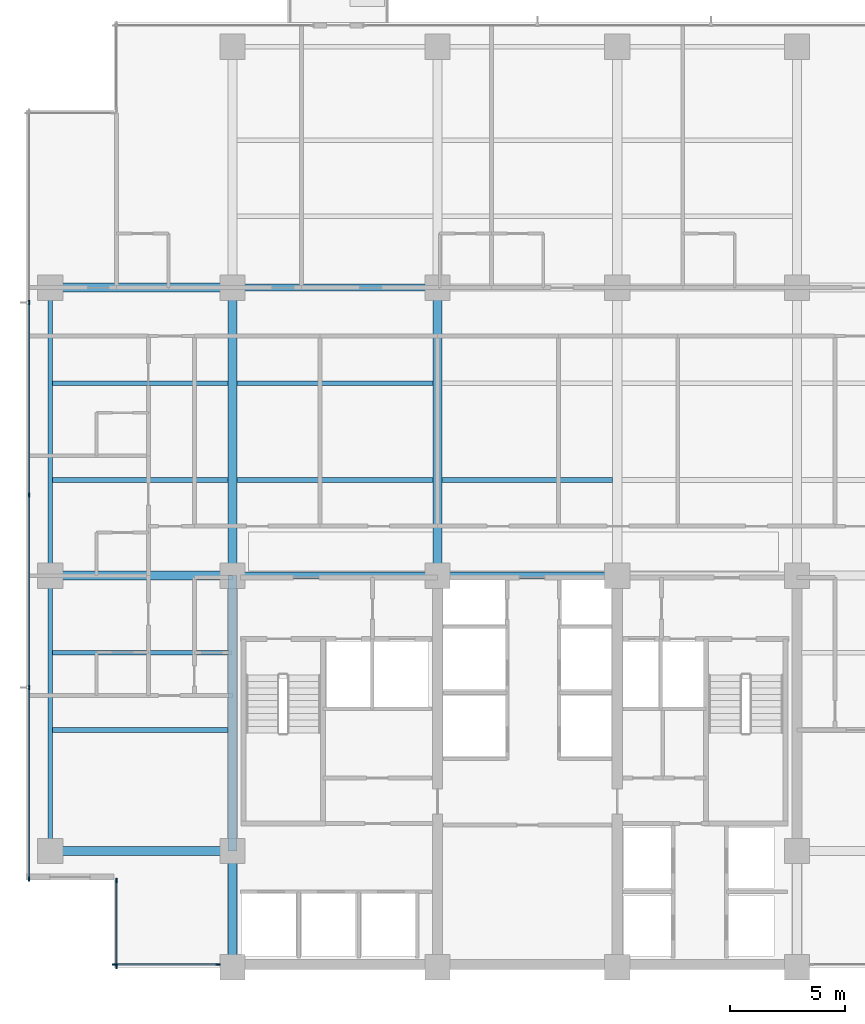
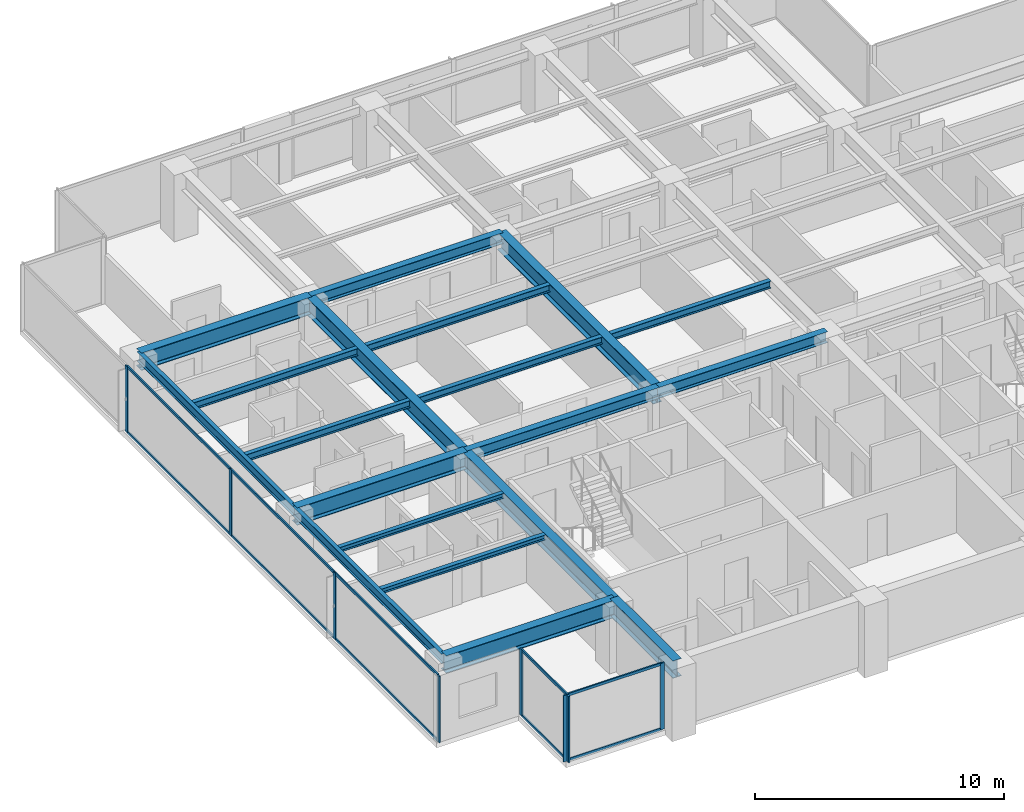
# One storey, part 2 of 15: 19 beams, 18 members, 3 elements without a shape of their own.
"""IFC4 building model written with IfcOpenShell, lengths in metres."""

from ifc_helpers import new_model, si_unit, direction, frame, origin, origin_2d, place, context, subcontext, project, spatial, rectangle, i_section, extrude, material, layer, layer_set, material_profile, profile_set, type_object, element, aggregate, save


model = new_model("IFC4")

# Units and contexts
model_context = context("Model", 3, precision=1e-05, world=origin(), true_north=direction((0.0, 1.0)))
body_context = subcontext(model_context, "Body", "Model", "MODEL_VIEW")
ifc_project = project(units=[si_unit("LENGTHUNIT", "METRE"), si_unit("AREAUNIT", "SQUARE_METRE"), si_unit("VOLUMEUNIT", "CUBIC_METRE"), si_unit("PLANEANGLEUNIT", "RADIAN"), si_unit("MASSUNIT", "GRAM", prefix="KILO")], contexts=[model_context])

# Site, building, storey
site_placement = place(None, origin())
site = spatial("IfcSite", under=ifc_project, at=site_placement, CompositionType="ELEMENT")
building_placement = place(site_placement, origin())
building = spatial("IfcBuilding", under=site, at=building_placement, Name="Qalmaran Belvedere Hotel", CompositionType="ELEMENT")
storey_placement = place(building_placement, frame((0.0, 0.0, 142.10009765625)))
storey = spatial("IfcBuildingStorey", under=building, at=storey_placement, Name="L35", CompositionType="ELEMENT", Elevation=142.10009765625)

# Beams
ifc_material_1 = material(Name="Steel S355JR", Category="steel")
ifc_material_profile_1 = material_profile(ifc_material_1, i_section(OverallWidth=0.201904296875, OverallDepth=0.2470703125, WebThickness=0.00732421875, FlangeThickness=0.010986328125, FilletRadius=0.011962890625, at=origin_2d()), Name="W250X49")
ifc_profile_set_1 = profile_set([ifc_material_profile_1], Name="Steel S355JR")
beam_type_1 = type_object("IfcBeamType", Name="BM-JST-W250X49", PredefinedType="JOIST", material=ifc_profile_set_1)
for number, where, z_axis, x_axis, name in (
    (1, (12.493896484375, 13.800048828125, 3.12646484375), (1.0, 0.0, 0.0), (0.0, 1.0, 0.0), "L35 West Wing Joist 038"),
    (2, (12.493896484375, 17.14990234375, 3.12646484375), (1.0, 0.0, 0.0), (0.0, 1.0, 0.0), "L35 West Wing Joist 040"),
):
    element("IfcBeam", number, at=place(storey_placement, frame(where, z_axis=z_axis, x_axis=x_axis)), inside=storey, type_object=beam_type_1, Name=name, PredefinedType="JOIST", context=body_context, shape_type="SweptSolid", body=[
        extrude(i_section(OverallWidth=0.201904296875, OverallDepth=0.2470703125, WebThickness=0.00732421875, FlangeThickness=0.010986328125, FilletRadius=0.011962890625, at=origin_2d()), origin(), (0.0, 0.0, 1.0), 7.608154296875),
    ])
ifc_material_profile_2 = material_profile(ifc_material_1, i_section(OverallWidth=0.39990234375, OverallDepth=0.85498046875, WebThickness=0.018310546875, FlangeThickness=0.029296875, FilletRadius=0.02392578125, at=origin_2d()), Name="W840X299")
ifc_profile_set_2 = profile_set([ifc_material_profile_2], Name="Steel S355JR")
beam_type_2 = type_object("IfcBeamType", Name="BM-PG3-W840X299", PredefinedType="USERDEFINED", material=ifc_profile_set_2)
for number, where, z_axis, x_axis, name in (
    (3, (20.300048828125, 20.5, 2.822509765625), (0.0, 1.0, 0.0), (-1.0, 0.0, 0.0), "L35 Mid-Plate N-S Girder 14"),
    (4, (29.199951171875, 20.5, 2.822509765625), (0.0, 1.0, 0.0), (-1.0, 0.0, 0.0), "L35 Mid-Plate N-S Girder 16"),
):
    element("IfcBeam", number, at=place(storey_placement, frame(where, z_axis=z_axis, x_axis=x_axis)), inside=storey, type_object=beam_type_2, Name=name, ObjectType="GIRDER", PredefinedType="USERDEFINED", context=body_context, shape_type="SweptSolid", body=[
        extrude(i_section(OverallWidth=0.39990234375, OverallDepth=0.85498046875, WebThickness=0.018310546875, FlangeThickness=0.029296875, FilletRadius=0.02392578125, at=origin_2d()), origin(), (0.0, 0.0, 1.0), 12.5),
    ])
for number, where, z_axis, x_axis, name in (
    (5, (12.39990234375, 8.550048828125, 2.822509765625), (1.0, 0.0, 0.0), (0.0, 1.0, 0.0), "L35 West Wing Girder 22"),
    (6, (12.39990234375, 20.5, 2.822509765625), (1.0, 0.0, 0.0), (0.0, 1.0, 0.0), "L35 West Wing Girder 23"),
    (7, (12.39990234375, 33.0, 2.822509765625), (1.0, 0.0, 0.0), (0.0, 1.0, 0.0), "L35 West Wing Girder 24"),
):
    element("IfcBeam", number, at=place(storey_placement, frame(where, z_axis=z_axis, x_axis=x_axis)), inside=storey, type_object=beam_type_2, Name=name, ObjectType="GIRDER", PredefinedType="USERDEFINED", context=body_context, shape_type="SweptSolid", body=[
        extrude(i_section(OverallWidth=0.39990234375, OverallDepth=0.85498046875, WebThickness=0.018310546875, FlangeThickness=0.029296875, FilletRadius=0.02392578125, at=origin_2d()), origin(), (0.0, 0.0, 1.0), 7.900146484375),
    ])
beam_1_placement = place(storey_placement, frame((20.300048828125, 3.5, 2.822509765625), z_axis=(0.0, 1.0, 0.0), x_axis=(-1.0, 0.0, 0.0)))
element("IfcBeam", 8, at=beam_1_placement, inside=storey, type_object=beam_type_2, Name="L35 West Core Edge Girder A", ObjectType="GIRDER", PredefinedType="USERDEFINED", context=body_context, shape_type="SweptSolid", body=[
    extrude(i_section(OverallWidth=0.39990234375, OverallDepth=0.85498046875, WebThickness=0.018310546875, FlangeThickness=0.029296875, FilletRadius=0.02392578125, at=origin_2d()), origin(), (0.0, 0.0, 1.0), 5.050048828125),
])
beam_2_placement = place(storey_placement, frame((20.300048828125, 8.550048828125, 2.822509765625), z_axis=(0.0, 1.0, 0.0), x_axis=(-1.0, 0.0, 0.0)))
element("IfcBeam", 9, at=beam_2_placement, inside=storey, type_object=beam_type_2, Name="L35 West Core Edge Girder B", ObjectType="GIRDER", PredefinedType="USERDEFINED", context=body_context, shape_type="SweptSolid", body=[
    extrude(i_section(OverallWidth=0.39990234375, OverallDepth=0.85498046875, WebThickness=0.018310546875, FlangeThickness=0.029296875, FilletRadius=0.02392578125, at=origin_2d()), origin(), (0.0, 0.0, 1.0), 11.949951171875),
])
ifc_material_profile_3 = material_profile(ifc_material_1, i_section(OverallWidth=0.205078125, OverallDepth=0.35400390625, WebThickness=0.009521484375, FlangeThickness=0.016845703125, FilletRadius=0.014892578125, at=origin_2d()), Name="W360X79")
ifc_profile_set_3 = profile_set([ifc_material_profile_3], Name="Steel S355JR")
beam_type_3 = type_object("IfcBeamType", Name="BM-SB3-W360X79", PredefinedType="BEAM", material=ifc_profile_set_3)
beam_3_placement = place(storey_placement, frame((12.493896484375, 24.64990234375, 3.072998046875), z_axis=(1.0, 0.0, 0.0), x_axis=(0.0, 1.0, 0.0)))
element("IfcBeam", 10, at=beam_3_placement, inside=storey, type_object=beam_type_3, Name="L35 West Secondary Beam 028", PredefinedType="BEAM", context=body_context, shape_type="SweptSolid", body=[
    extrude(i_section(OverallWidth=0.205078125, OverallDepth=0.35400390625, WebThickness=0.009521484375, FlangeThickness=0.016845703125, FilletRadius=0.014892578125, at=origin_2d()), origin(), (0.0, 0.0, 1.0), 7.608154296875),
])
beam_4_placement = place(storey_placement, frame((20.498046875, 24.64990234375, 3.072998046875), z_axis=(1.0, 0.0, 0.0), x_axis=(0.0, 1.0, 0.0)))
element("IfcBeam", 11, at=beam_4_placement, inside=storey, type_object=beam_type_3, Name="L35 Secondary Floor Beam 029", PredefinedType="BEAM", context=body_context, shape_type="SweptSolid", body=[
    extrude(i_section(OverallWidth=0.205078125, OverallDepth=0.35400390625, WebThickness=0.009521484375, FlangeThickness=0.016845703125, FilletRadius=0.014892578125, at=origin_2d()), origin(), (0.0, 0.0, 1.0), 8.50390625),
])
beam_5_placement = place(storey_placement, frame((29.39794921875, 24.64990234375, 3.072998046875), z_axis=(1.0, 0.0, 0.0), x_axis=(0.0, 1.0, 0.0)))
element("IfcBeam", 12, at=beam_5_placement, inside=storey, type_object=beam_type_3, Name="L35 Secondary Floor Beam 030", PredefinedType="BEAM", context=body_context, shape_type="SweptSolid", body=[
    extrude(i_section(OverallWidth=0.205078125, OverallDepth=0.35400390625, WebThickness=0.009521484375, FlangeThickness=0.016845703125, FilletRadius=0.014892578125, at=origin_2d()), origin(), (0.0, 0.0, 1.0), 7.404052734375),
])
beam_6_placement = place(storey_placement, frame((12.493896484375, 28.85009765625, 3.072998046875), z_axis=(1.0, 0.0, 0.0), x_axis=(0.0, 1.0, 0.0)))
element("IfcBeam", 13, at=beam_6_placement, inside=storey, type_object=beam_type_3, Name="L35 West Secondary Beam 033", PredefinedType="BEAM", context=body_context, shape_type="SweptSolid", body=[
    extrude(i_section(OverallWidth=0.205078125, OverallDepth=0.35400390625, WebThickness=0.009521484375, FlangeThickness=0.016845703125, FilletRadius=0.014892578125, at=origin_2d()), origin(), (0.0, 0.0, 1.0), 7.608154296875),
])
beam_7_placement = place(storey_placement, frame((20.498046875, 28.85009765625, 3.072998046875), z_axis=(1.0, 0.0, 0.0), x_axis=(0.0, 1.0, 0.0)))
element("IfcBeam", 14, at=beam_7_placement, inside=storey, type_object=beam_type_3, Name="L35 Secondary Floor Beam 034", PredefinedType="BEAM", context=body_context, shape_type="SweptSolid", body=[
    extrude(i_section(OverallWidth=0.205078125, OverallDepth=0.35400390625, WebThickness=0.009521484375, FlangeThickness=0.016845703125, FilletRadius=0.014892578125, at=origin_2d()), origin(), (0.0, 0.0, 1.0), 8.50390625),
])
ifc_material_profile_4 = material_profile(ifc_material_1, i_section(OverallWidth=0.19189453125, OverallDepth=0.462890625, WebThickness=0.010498046875, FlangeThickness=0.017578125, FilletRadius=0.01611328125, at=origin_2d()), Name="W460X89")
ifc_profile_set_4 = profile_set([ifc_material_profile_4], Name="Steel S355JR")
beam_type_4 = type_object("IfcBeamType", Name="BM-SP2-W460X89", PredefinedType="SPANDREL", material=ifc_profile_set_4)
beam_8_placement = place(storey_placement, frame((12.39990234375, 8.550048828125, 3.018310546875), z_axis=(0.0, 1.0, 0.0), x_axis=(-1.0, 0.0, 0.0)))
element("IfcBeam", 15, at=beam_8_placement, inside=storey, type_object=beam_type_4, Name="L35 Perimeter Spandrel 01", PredefinedType="SPANDREL", context=body_context, shape_type="SweptSolid", body=[
    extrude(i_section(OverallWidth=0.19189453125, OverallDepth=0.462890625, WebThickness=0.010498046875, FlangeThickness=0.017578125, FilletRadius=0.01611328125, at=origin_2d()), origin(), (0.0, 0.0, 1.0), 11.949951171875),
])
beam_9_placement = place(storey_placement, frame((12.39990234375, 20.5, 3.018310546875), z_axis=(0.0, 1.0, 0.0), x_axis=(-1.0, 0.0, 0.0)))
element("IfcBeam", 16, at=beam_9_placement, inside=storey, type_object=beam_type_4, Name="L35 Perimeter Spandrel 02", PredefinedType="SPANDREL", context=body_context, shape_type="SweptSolid", body=[
    extrude(i_section(OverallWidth=0.19189453125, OverallDepth=0.462890625, WebThickness=0.010498046875, FlangeThickness=0.017578125, FilletRadius=0.01611328125, at=origin_2d()), origin(), (0.0, 0.0, 1.0), 12.5),
])
ifc_material_profile_5 = material_profile(ifc_material_1, i_section(OverallWidth=0.31201171875, OverallDepth=0.54296875, WebThickness=0.0126953125, FlangeThickness=0.020263671875, FilletRadius=0.01806640625, at=origin_2d()), Name="W530X150")
ifc_profile_set_5 = profile_set([ifc_material_profile_5], Name="Steel S355JR")
beam_type_5 = type_object("IfcBeamType", Name="BM-Z3-W530X150", PredefinedType="USERDEFINED", material=ifc_profile_set_5)
beam_10_placement = place(storey_placement, frame((20.300048828125, 20.5, 2.978515625), z_axis=(1.0, 0.0, 0.0), x_axis=(0.0, 1.0, 0.0)))
element("IfcBeam", 17, at=beam_10_placement, inside=storey, type_object=beam_type_5, Name="L35 Interior E-W Girder 08", ObjectType="GIRDER", PredefinedType="USERDEFINED", context=body_context, shape_type="SweptSolid", body=[
    extrude(i_section(OverallWidth=0.31201171875, OverallDepth=0.54296875, WebThickness=0.0126953125, FlangeThickness=0.020263671875, FilletRadius=0.01806640625, at=origin_2d()), origin(), (0.0, 0.0, 1.0), 8.89990234375),
])
beam_11_placement = place(storey_placement, frame((29.199951171875, 20.5, 2.978515625), z_axis=(1.0, 0.0, 0.0), x_axis=(0.0, 1.0, 0.0)))
element("IfcBeam", 18, at=beam_11_placement, inside=storey, type_object=beam_type_5, Name="L35 Interior E-W Girder 09", ObjectType="GIRDER", PredefinedType="USERDEFINED", context=body_context, shape_type="SweptSolid", body=[
    extrude(i_section(OverallWidth=0.31201171875, OverallDepth=0.54296875, WebThickness=0.0126953125, FlangeThickness=0.020263671875, FilletRadius=0.01806640625, at=origin_2d()), origin(), (0.0, 0.0, 1.0), 7.800048828125),
])
beam_12_placement = place(storey_placement, frame((20.300048828125, 33.0, 2.978515625), z_axis=(1.0, 0.0, 0.0), x_axis=(0.0, 1.0, 0.0)))
element("IfcBeam", 19, at=beam_12_placement, inside=storey, type_object=beam_type_5, Name="L35 Interior E-W Girder 11", ObjectType="GIRDER", PredefinedType="USERDEFINED", context=body_context, shape_type="SweptSolid", body=[
    extrude(i_section(OverallWidth=0.31201171875, OverallDepth=0.54296875, WebThickness=0.0126953125, FlangeThickness=0.020263671875, FilletRadius=0.01806640625, at=origin_2d()), origin(), (0.0, 0.0, 1.0), 8.89990234375),
])

# Curtain wall, members
ifc_material_2 = material(Name="Anodised Bronze Aluminium", Category="aluminium")
ifc_layer = layer(ifc_material_2, 0.195068359375, Name="Anodised Bronze Aluminium")
ifc_layer_set = layer_set([ifc_layer], Name="Anodised Bronze Aluminium")
curtain_wall_type = type_object("IfcCurtainWallType", Name="CW4-TOWER-HIGHMID", PredefinedType="NOTDEFINED", material=ifc_layer_set)
curtain_wall_1_placement = place(storey_placement, origin())
curtain_wall_1 = element("IfcCurtainWall", 20, at=curtain_wall_1_placement, inside=storey, type_object=curtain_wall_type, Name="L35 Curtain Wall CW4", PredefinedType="NOTDEFINED")
ifc_material_profile_6 = material_profile(ifc_material_2, rectangle(XDim=0.070068359375, YDim=0.18994140625, at=origin_2d()), Name="CWM70X190")
ifc_profile_set_6 = profile_set([ifc_material_profile_6], Name="Anodised Bronze Aluminium")
member_type_1 = type_object("IfcMemberType", Name="CWM-70X190", PredefinedType="MULLION", material=ifc_profile_set_6)
member_1_placement = place(storey_placement, frame((15.18505859375, 3.6201171875, 0.0), z_axis=(0.0, 0.0, 1.0), x_axis=(0.0, 1.0, 0.0)))
member_1 = element("IfcMember", 21, at=member_1_placement, type_object=member_type_1, Name="CW4 mullion 1", PredefinedType="MULLION", context=body_context, shape_type="SweptSolid", body=[
    extrude(rectangle(XDim=0.070068359375, YDim=0.18994140625, at=origin_2d()), origin(), (0.0, 0.0, 1.0), 3.25),
])
member_2_placement = place(storey_placement, frame((19.675048828125, 3.6201171875, 0.0), z_axis=(0.0, 0.0, 1.0), x_axis=(0.0, 1.0, 0.0)))
member_2 = element("IfcMember", 22, at=member_2_placement, type_object=member_type_1, Name="CW4 mullion 2", PredefinedType="MULLION", context=body_context, shape_type="SweptSolid", body=[
    extrude(rectangle(XDim=0.070068359375, YDim=0.18994140625, at=origin_2d()), origin(), (0.0, 0.0, 1.0), 3.25),
])

curtain_wall_2_placement = place(storey_placement, origin())
curtain_wall_2 = element("IfcCurtainWall", 23, at=curtain_wall_2_placement, inside=storey, type_object=curtain_wall_type, Name="L35 Curtain Wall CW4", PredefinedType="NOTDEFINED")
member_3_placement = place(storey_placement, frame((11.469970703125, 32.35009765625, 0.0), z_axis=(0.0, 0.0, 1.0), x_axis=(1.0, 0.0, 0.0)))
member_3 = element("IfcMember", 24, at=member_3_placement, type_object=member_type_1, Name="CW4 mullion 2", PredefinedType="MULLION", context=body_context, shape_type="SweptSolid", body=[
    extrude(rectangle(XDim=0.070068359375, YDim=0.18994140625, at=origin_2d()), origin(), (0.0, 0.0, 1.0), 3.25),
])
member_4_placement = place(storey_placement, frame((11.469970703125, 24.0, 0.0), z_axis=(0.0, 0.0, 1.0), x_axis=(1.0, 0.0, 0.0)))
member_4 = element("IfcMember", 25, at=member_4_placement, type_object=member_type_1, Name="CW4 mullion 3", PredefinedType="MULLION", context=body_context, shape_type="SweptSolid", body=[
    extrude(rectangle(XDim=0.070068359375, YDim=0.18994140625, at=origin_2d()), origin(), (0.0, 0.0, 1.0), 3.25),
])
member_5_placement = place(storey_placement, frame((11.469970703125, 15.64990234375, 0.0), z_axis=(0.0, 0.0, 1.0), x_axis=(1.0, 0.0, 0.0)))
member_5 = element("IfcMember", 26, at=member_5_placement, type_object=member_type_1, Name="CW4 mullion 4", PredefinedType="MULLION", context=body_context, shape_type="SweptSolid", body=[
    extrude(rectangle(XDim=0.070068359375, YDim=0.18994140625, at=origin_2d()), origin(), (0.0, 0.0, 1.0), 3.25),
])
member_6_placement = place(storey_placement, frame((11.469970703125, 7.3349609375, 0.0), z_axis=(0.0, 0.0, 1.0), x_axis=(1.0, 0.0, 0.0)))
member_6 = element("IfcMember", 27, at=member_6_placement, type_object=member_type_1, Name="CW4 mullion 5", PredefinedType="MULLION", context=body_context, shape_type="SweptSolid", body=[
    extrude(rectangle(XDim=0.070068359375, YDim=0.18994140625, at=origin_2d()), origin(), (0.0, 0.0, 1.0), 3.25),
])

curtain_wall_3_placement = place(storey_placement, origin())
curtain_wall_3 = element("IfcCurtainWall", 28, at=curtain_wall_3_placement, inside=storey, type_object=curtain_wall_type, Name="L35 Curtain Wall CW4", PredefinedType="NOTDEFINED")
member_7_placement = place(storey_placement, frame((15.27001953125, 7.264892578125, 0.0), z_axis=(0.0, 0.0, 1.0), x_axis=(1.0, 0.0, 0.0)))
member_7 = element("IfcMember", 29, at=member_7_placement, type_object=member_type_1, Name="CW4 mullion 1", PredefinedType="MULLION", context=body_context, shape_type="SweptSolid", body=[
    extrude(rectangle(XDim=0.070068359375, YDim=0.18994140625, at=origin_2d()), origin(), (0.0, 0.0, 1.0), 3.25),
])
member_8_placement = place(storey_placement, frame((15.27001953125, 3.534912109375, 0.0), z_axis=(0.0, 0.0, 1.0), x_axis=(1.0, 0.0, 0.0)))
member_8 = element("IfcMember", 30, at=member_8_placement, type_object=member_type_1, Name="CW4 mullion 2", PredefinedType="MULLION", context=body_context, shape_type="SweptSolid", body=[
    extrude(rectangle(XDim=0.070068359375, YDim=0.18994140625, at=origin_2d()), origin(), (0.0, 0.0, 1.0), 3.25),
])

# Member
ifc_material_profile_7 = material_profile(ifc_material_2, rectangle(XDim=0.06494140625, YDim=0.1298828125, at=origin_2d()), Name="CWT65X130")
ifc_profile_set_7 = profile_set([ifc_material_profile_7], Name="Anodised Bronze Aluminium")
member_type_2 = type_object("IfcMemberType", Name="CWT-65X130", PredefinedType="USERDEFINED", material=ifc_profile_set_7)
member_9_placement = place(storey_placement, frame((15.219970703125, 3.6201171875, 0.032470703125), z_axis=(1.0, 0.0, 0.0), x_axis=(0.0, 1.0, 0.0)))
member_9 = element("IfcMember", 31, at=member_9_placement, type_object=member_type_2, Name="CW4 transom 1.1", ObjectType="TRANSOM", PredefinedType="USERDEFINED", context=body_context, shape_type="SweptSolid", body=[
    extrude(rectangle(XDim=0.06494140625, YDim=0.1298828125, at=origin_2d()), origin(), (0.0, 0.0, 1.0), 4.419921875),
])

member_10_placement = place(storey_placement, frame((15.219970703125, 3.6201171875, 3.21728515625), z_axis=(1.0, 0.0, 0.0), x_axis=(0.0, 1.0, 0.0)))
member_10 = element("IfcMember", 32, at=member_10_placement, type_object=member_type_2, Name="CW4 transom 1.2", ObjectType="TRANSOM", PredefinedType="USERDEFINED", context=body_context, shape_type="SweptSolid", body=[
    extrude(rectangle(XDim=0.06494140625, YDim=0.1298828125, at=origin_2d()), origin(), (0.0, 0.0, 1.0), 4.419921875),
])

aggregate(curtain_wall_1, [member_1, member_2, member_9, member_10])

member_11_placement = place(storey_placement, frame((11.469970703125, 32.31494140625, 0.032470703125), z_axis=(0.0, -1.0, 0.0), x_axis=(1.0, 0.0, 0.0)))
member_11 = element("IfcMember", 33, at=member_11_placement, type_object=member_type_2, Name="CW4 transom 2.1", ObjectType="TRANSOM", PredefinedType="USERDEFINED", context=body_context, shape_type="SweptSolid", body=[
    extrude(rectangle(XDim=0.06494140625, YDim=0.1298828125, at=origin_2d()), origin(), (0.0, 0.0, 1.0), 8.280029296875),
])

member_12_placement = place(storey_placement, frame((11.469970703125, 32.31494140625, 3.21728515625), z_axis=(0.0, -1.0, 0.0), x_axis=(1.0, 0.0, 0.0)))
member_12 = element("IfcMember", 34, at=member_12_placement, type_object=member_type_2, Name="CW4 transom 2.2", ObjectType="TRANSOM", PredefinedType="USERDEFINED", context=body_context, shape_type="SweptSolid", body=[
    extrude(rectangle(XDim=0.06494140625, YDim=0.1298828125, at=origin_2d()), origin(), (0.0, 0.0, 1.0), 8.280029296875),
])

member_13_placement = place(storey_placement, frame((11.469970703125, 23.965087890625, 0.032470703125), z_axis=(0.0, -1.0, 0.0), x_axis=(1.0, 0.0, 0.0)))
member_13 = element("IfcMember", 35, at=member_13_placement, type_object=member_type_2, Name="CW4 transom 3.1", ObjectType="TRANSOM", PredefinedType="USERDEFINED", context=body_context, shape_type="SweptSolid", body=[
    extrude(rectangle(XDim=0.06494140625, YDim=0.1298828125, at=origin_2d()), origin(), (0.0, 0.0, 1.0), 8.280029296875),
])

member_14_placement = place(storey_placement, frame((11.469970703125, 23.965087890625, 3.21728515625), z_axis=(0.0, -1.0, 0.0), x_axis=(1.0, 0.0, 0.0)))
member_14 = element("IfcMember", 36, at=member_14_placement, type_object=member_type_2, Name="CW4 transom 3.2", ObjectType="TRANSOM", PredefinedType="USERDEFINED", context=body_context, shape_type="SweptSolid", body=[
    extrude(rectangle(XDim=0.06494140625, YDim=0.1298828125, at=origin_2d()), origin(), (0.0, 0.0, 1.0), 8.280029296875),
])

member_15_placement = place(storey_placement, frame((11.469970703125, 15.614990234375, 0.032470703125), z_axis=(0.0, -1.0, 0.0), x_axis=(1.0, 0.0, 0.0)))
member_15 = element("IfcMember", 37, at=member_15_placement, type_object=member_type_2, Name="CW4 transom 4.1", ObjectType="TRANSOM", PredefinedType="USERDEFINED", context=body_context, shape_type="SweptSolid", body=[
    extrude(rectangle(XDim=0.06494140625, YDim=0.1298828125, at=origin_2d()), origin(), (0.0, 0.0, 1.0), 8.244873046875),
])

member_16_placement = place(storey_placement, frame((11.469970703125, 15.614990234375, 3.21728515625), z_axis=(0.0, -1.0, 0.0), x_axis=(1.0, 0.0, 0.0)))
member_16 = element("IfcMember", 38, at=member_16_placement, type_object=member_type_2, Name="CW4 transom 4.2", ObjectType="TRANSOM", PredefinedType="USERDEFINED", context=body_context, shape_type="SweptSolid", body=[
    extrude(rectangle(XDim=0.06494140625, YDim=0.1298828125, at=origin_2d()), origin(), (0.0, 0.0, 1.0), 8.244873046875),
])

aggregate(curtain_wall_2, [member_3, member_4, member_5, member_6, member_11, member_12, member_13, member_14, member_15, member_16])

member_17_placement = place(storey_placement, frame((15.27001953125, 7.22998046875, 0.032470703125), z_axis=(0.0, -1.0, 0.0), x_axis=(1.0, 0.0, 0.0)))
member_17 = element("IfcMember", 39, at=member_17_placement, type_object=member_type_2, Name="CW4 transom 1.1", ObjectType="TRANSOM", PredefinedType="USERDEFINED", context=body_context, shape_type="SweptSolid", body=[
    extrude(rectangle(XDim=0.06494140625, YDim=0.1298828125, at=origin_2d()), origin(), (0.0, 0.0, 1.0), 3.659912109375),
])

member_18_placement = place(storey_placement, frame((15.27001953125, 7.22998046875, 3.21728515625), z_axis=(0.0, -1.0, 0.0), x_axis=(1.0, 0.0, 0.0)))
member_18 = element("IfcMember", 40, at=member_18_placement, type_object=member_type_2, Name="CW4 transom 1.2", ObjectType="TRANSOM", PredefinedType="USERDEFINED", context=body_context, shape_type="SweptSolid", body=[
    extrude(rectangle(XDim=0.06494140625, YDim=0.1298828125, at=origin_2d()), origin(), (0.0, 0.0, 1.0), 3.659912109375),
])

aggregate(curtain_wall_3, [member_7, member_8, member_17, member_18])

save(model, "model.ifc")
